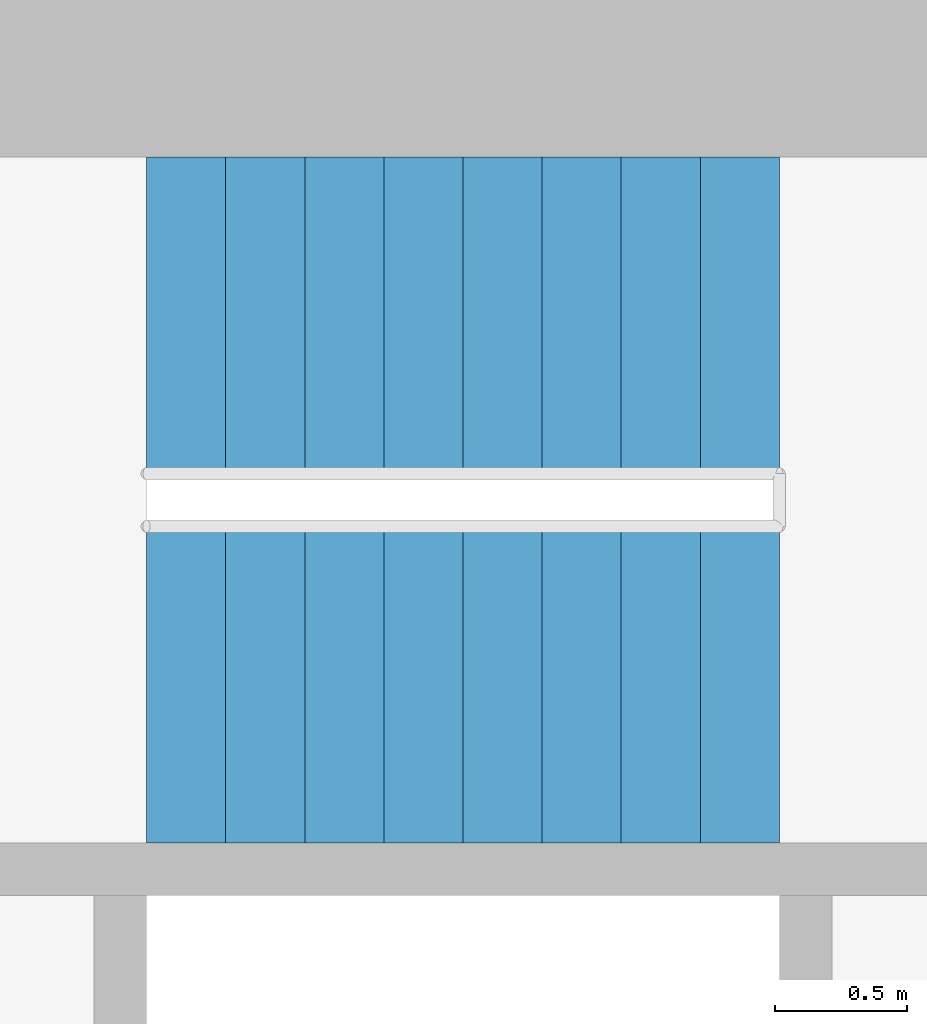
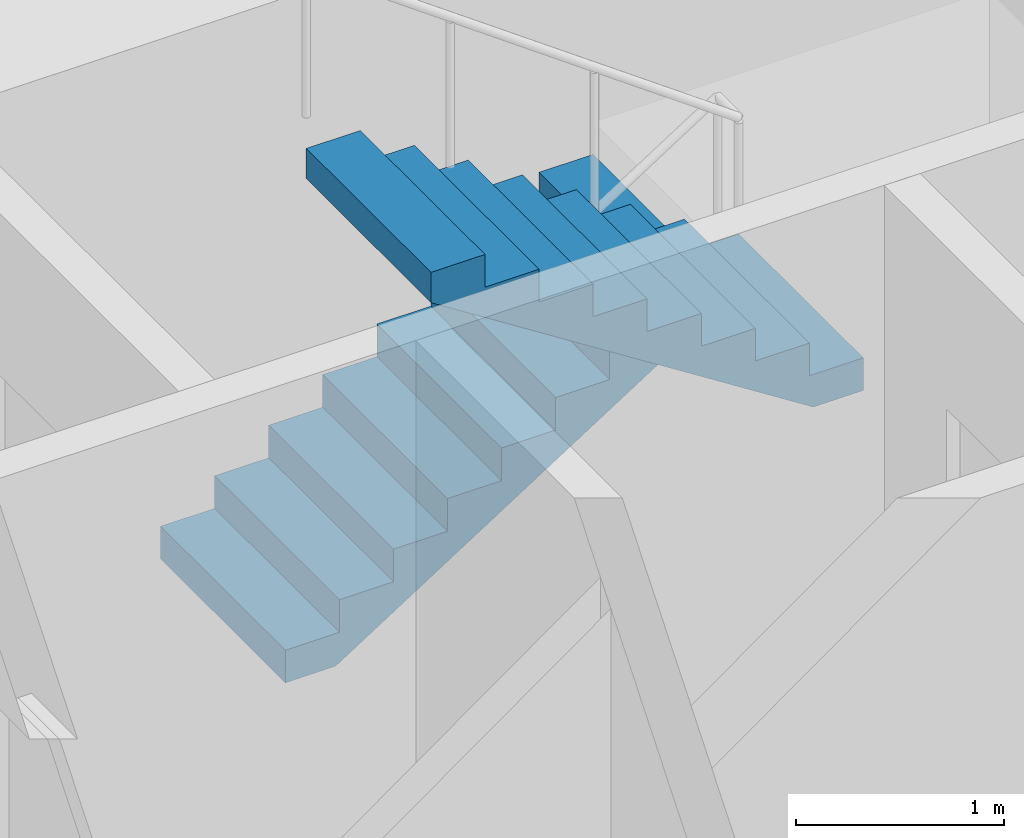
# One storey, part 12 of 14: 2 stair flights, 1 element without a shape of its own.
"""IFC4 building model written with IfcOpenShell, lengths in metres."""

from ifc_helpers import new_model, si_unit, direction, frame, origin, place, context, subcontext, project, spatial, polyline, outline, extrude, material, type_object, element, aggregate, save


model = new_model("IFC4")

# Units and contexts
model_context = context("Model", 3, precision=1e-05, world=origin(), true_north=direction((0.0, 1.0)))
body_context = subcontext(model_context, "Body", "Model", "MODEL_VIEW")
ifc_project = project(units=[si_unit("LENGTHUNIT", "METRE"), si_unit("AREAUNIT", "SQUARE_METRE"), si_unit("VOLUMEUNIT", "CUBIC_METRE"), si_unit("PLANEANGLEUNIT", "RADIAN"), si_unit("MASSUNIT", "GRAM", prefix="KILO")], contexts=[model_context])

# Site, building, storey
site_placement = place(None, origin())
site = spatial("IfcSite", under=ifc_project, at=site_placement, CompositionType="ELEMENT")
building_placement = place(site_placement, origin())
building = spatial("IfcBuilding", under=site, at=building_placement, Name="Kitamizu Gate Tower and Museum", CompositionType="ELEMENT")
storey_placement = place(building_placement, frame((0.0, 0.0, 74.85009765625)))
storey = spatial("IfcBuildingStorey", under=building, at=storey_placement, Name="L18", CompositionType="ELEMENT", Elevation=74.85009765625)

# Stair, stair flights
ifc_material_1 = material(Name="Concrete Fc42", Category="concrete")
stair_type = type_object("IfcStairType", Name="Exit stair 1200 wide 192 rise 300 going", PredefinedType="HALF_TURN_STAIR", material=ifc_material_1)
stair_placement = place(storey_placement, origin())
stair = element("IfcStair", 1, at=stair_placement, inside=storey, type_object=stair_type, Name="Exit stair ST4", PredefinedType="HALF_TURN_STAIR")
ifc_material_2 = material(Name="Concrete Fc42", Category="concrete")
stair_flight_type = type_object("IfcStairFlightType", Name="Stair flight 1200 wide 192 rise 300 going", PredefinedType="STRAIGHT", material=ifc_material_2)
stair_flight_1_placement = place(storey_placement, frame((54.10009765625, 37.10009765625, 0.0), z_axis=(0.0, 0.0, 1.0), x_axis=(1.0, 0.0, 0.0)))
stair_flight_1 = element("IfcStairFlight", 2, at=stair_flight_1_placement, type_object=stair_flight_type, Name="ST4 flight 1", NumberOfRisers=9, NumberOfTreads=8, PredefinedType="STRAIGHT", RiserHeight=0.191666667, TreadLength=0.3, context=body_context, shape_type="SweptSolid", body=[
    extrude(outline(polyline([(0.0, 0.0), (0.0, 0.191650390625), (0.300048828125, 0.191650390625), (0.300048828125, 0.38330078125), (0.60009765625, 0.38330078125), (0.60009765625, 0.574951171875), (0.89990234375, 0.574951171875), (0.89990234375, 0.7666015625), (1.199951171875, 0.7666015625), (1.199951171875, 0.958251953125), (1.5, 0.958251953125), (1.5, 1.14990234375), (1.800048828125, 1.14990234375), (1.800048828125, 1.341552734375), (2.10009765625, 1.341552734375), (2.10009765625, 1.533447265625), (2.39990234375, 1.533447265625), (2.39990234375, 1.72509765625), (2.39990234375, 1.35546875), (0.2783203125, 0.0), (0.0, 0.0)])), frame((0.0, 0.60009765625, 0.0), z_axis=(0.0, -1.0, 0.0), x_axis=(1.0, 0.0, 0.0)), (0.0, 0.0, 1.0), 1.199951171875),
])
stair_flight_2_placement = place(storey_placement, frame((56.5, 35.699951171875, 1.724853515625), z_axis=(0.0, 0.0, 1.0), x_axis=(-1.0, 0.0, 0.0)))
stair_flight_2 = element("IfcStairFlight", 3, at=stair_flight_2_placement, type_object=stair_flight_type, Name="ST4 flight 2", NumberOfRisers=9, NumberOfTreads=8, PredefinedType="STRAIGHT", RiserHeight=0.191666667, TreadLength=0.3, context=body_context, shape_type="SweptSolid", body=[
    extrude(outline(polyline([(0.0, 0.0), (0.0, 0.191650390625), (0.300048828125, 0.191650390625), (0.300048828125, 0.38330078125), (0.60009765625, 0.38330078125), (0.60009765625, 0.574951171875), (0.89990234375, 0.574951171875), (0.89990234375, 0.7666015625), (1.199951171875, 0.7666015625), (1.199951171875, 0.958251953125), (1.5, 0.958251953125), (1.5, 1.14990234375), (1.800048828125, 1.14990234375), (1.800048828125, 1.341552734375), (2.10009765625, 1.341552734375), (2.10009765625, 1.533447265625), (2.39990234375, 1.533447265625), (2.39990234375, 1.72509765625), (2.39990234375, 1.35546875), (0.2783203125, 0.0), (0.0, 0.0)])), frame((0.0, 0.60009765625, 0.0), z_axis=(0.0, -1.0, 0.0), x_axis=(1.0, 0.0, 0.0)), (0.0, 0.0, 1.0), 1.199951171875),
])
aggregate(stair, [stair_flight_1, stair_flight_2])

save(model, "model.ifc")
